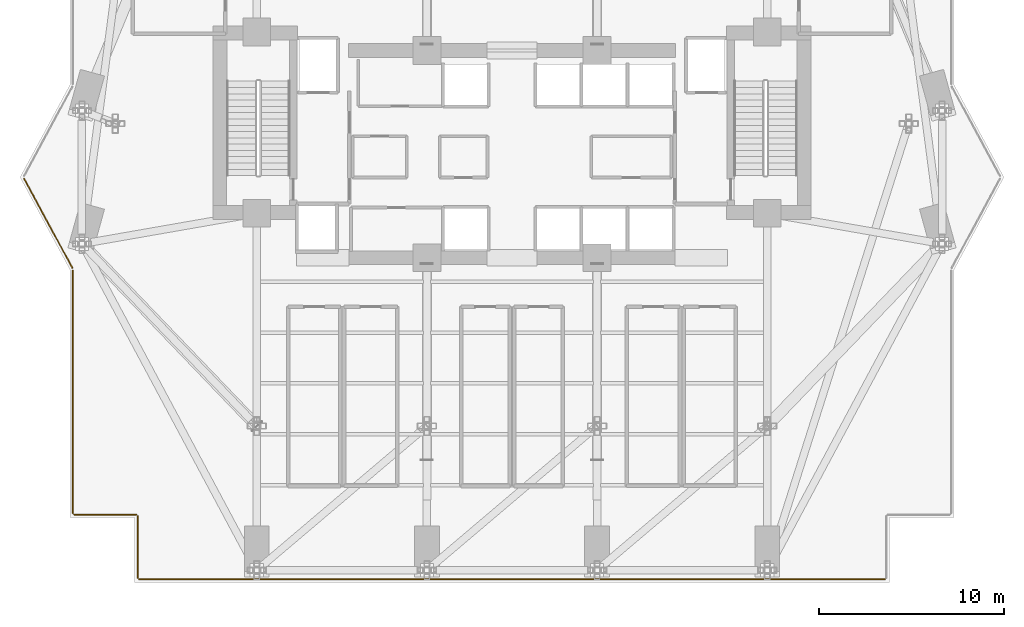
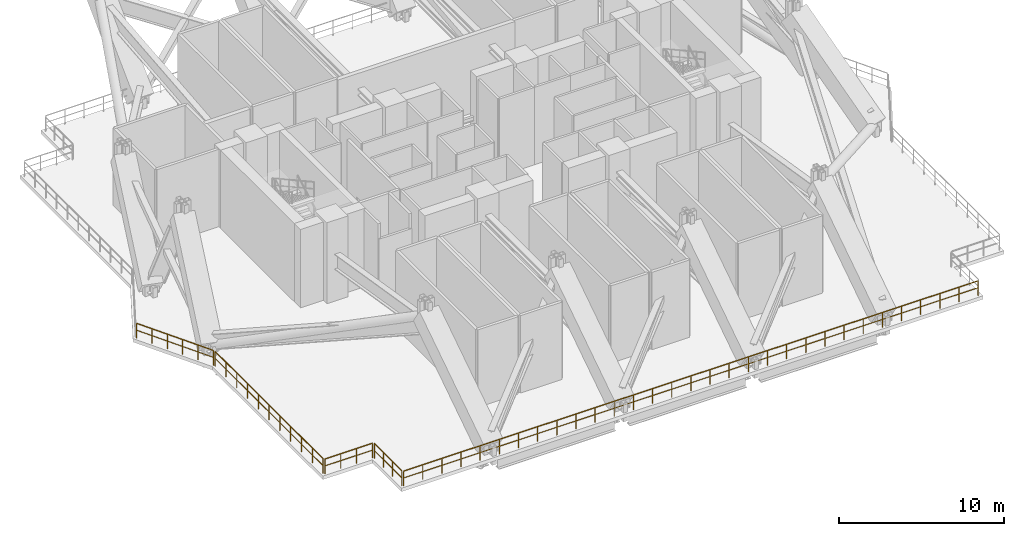
# One storey, part 15 of 18: 5 railings.
"""IFC4 building model written with IfcOpenShell, lengths in metres."""

from ifc_helpers import new_model, si_unit, direction, frame, origin, origin_2d, place, context, subcontext, project, spatial, rectangle, extrude, material, type_object, element, save


model = new_model("IFC4")

# Units and contexts
model_context = context("Model", 3, precision=1e-05, world=origin(), true_north=direction((0.0, 1.0)))
body_context = subcontext(model_context, "Body", "Model", "MODEL_VIEW")
ifc_project = project(units=[si_unit("LENGTHUNIT", "METRE"), si_unit("AREAUNIT", "SQUARE_METRE"), si_unit("VOLUMEUNIT", "CUBIC_METRE"), si_unit("PLANEANGLEUNIT", "RADIAN"), si_unit("MASSUNIT", "GRAM", prefix="KILO")], contexts=[model_context])

# Site, building, storey
site_placement = place(None, origin())
site = spatial("IfcSite", under=ifc_project, at=site_placement, CompositionType="ELEMENT")
building_placement = place(site_placement, origin())
building = spatial("IfcBuilding", under=site, at=building_placement, Name="Zuhayl Quay Hotel", CompositionType="ELEMENT")
storey_placement = place(building_placement, frame((0.0, 0.0, 162.199951171875)))
storey = spatial("IfcBuildingStorey", under=building, at=storey_placement, Name="L41", CompositionType="ELEMENT", Elevation=162.199951171875)

# Railings
ifc_material = material(Name="Anodised Aluminium and Laminated Glass", Category="aluminium")
railing_type = type_object("IfcRailingType", Name="RL_EXT_BAL_1100", PredefinedType="BALUSTRADE", material=ifc_material)
railing_1_placement = place(storey_placement, frame((-20.239990234375, -15.159912109375, 0.0)))
element("IfcRailing", 1, at=railing_1_placement, inside=storey, type_object=railing_type, Name="L41 Balcony and Terrace Guard GR_WIND_L41_01", PredefinedType="BALUSTRADE", context=body_context, shape_type="SweptSolid", body=[
    extrude(rectangle(XDim=0.048095703125, YDim=0.048095703125, at=origin_2d()), frame((0.0, 0.0, 1.09619140625), z_axis=(0.0, 1.0, 0.0), x_axis=(-1.0, 0.0, 0.0)), (0.0, 0.0, 1.0), 3.33984375),
    extrude(rectangle(XDim=0.0361328125, YDim=0.0361328125, at=origin_2d()), frame((0.0, 0.0, 0.58251953125), z_axis=(0.0, 1.0, 0.0), x_axis=(-1.0, 0.0, 0.0)), (0.0, 0.0, 1.0), 3.33984375),
    extrude(rectangle(XDim=0.0419921875, YDim=0.0419921875, at=origin_2d()), origin(), (0.0, 0.0, 1.0), 1.072021484375),
    extrude(rectangle(XDim=0.0419921875, YDim=0.0419921875, at=origin_2d()), frame((0.0, 1.11328125, 0.0)), (0.0, 0.0, 1.0), 1.072021484375),
    extrude(rectangle(XDim=0.0419921875, YDim=0.0419921875, at=origin_2d()), frame((0.0, 2.2265625, 0.0)), (0.0, 0.0, 1.0), 1.072021484375),
    extrude(rectangle(XDim=0.0419921875, YDim=0.0419921875, at=origin_2d()), frame((0.0, 3.33984375, 0.0)), (0.0, 0.0, 1.0), 1.072021484375),
])
railing_2_placement = place(storey_placement, frame((-20.320068359375, -11.739990234375, 0.0)))
element("IfcRailing", 2, at=railing_2_placement, inside=storey, type_object=railing_type, Name="L41 Balcony and Terrace Guard GR_WIND_L41_02", PredefinedType="BALUSTRADE", context=body_context, shape_type="SweptSolid", body=[
    extrude(rectangle(XDim=0.048095703125, YDim=0.048095703125, at=origin_2d()), frame((0.0, 0.0, 1.09619140625), z_axis=(-1.0, 0.0, 0.0), x_axis=(0.0, -1.0, 0.0)), (0.0, 0.0, 1.0), 3.33984375),
    extrude(rectangle(XDim=0.0361328125, YDim=0.0361328125, at=origin_2d()), frame((0.0, 0.0, 0.58251953125), z_axis=(-1.0, 0.0, 0.0), x_axis=(0.0, -1.0, 0.0)), (0.0, 0.0, 1.0), 3.33984375),
    extrude(rectangle(XDim=0.0419921875, YDim=0.0419921875, at=origin_2d()), origin(), (0.0, 0.0, 1.0), 1.072021484375),
    extrude(rectangle(XDim=0.0419921875, YDim=0.0419921875, at=origin_2d()), frame((-1.11328125, 0.0, 0.0)), (0.0, 0.0, 1.0), 1.072021484375),
    extrude(rectangle(XDim=0.0419921875, YDim=0.0419921875, at=origin_2d()), frame((-2.2265625, 0.0, 0.0)), (0.0, 0.0, 1.0), 1.072021484375),
    extrude(rectangle(XDim=0.0419921875, YDim=0.0419921875, at=origin_2d()), frame((-3.33984375, 0.0, 0.0)), (0.0, 0.0, 1.0), 1.072021484375),
])
railing_3_placement = place(storey_placement, frame((-23.739990234375, -11.659912109375, 0.0)))
element("IfcRailing", 3, at=railing_3_placement, inside=storey, type_object=railing_type, Name="L41 Balcony and Terrace Guard GR_WIND_L41_03", PredefinedType="BALUSTRADE", context=body_context, shape_type="SweptSolid", body=[
    extrude(rectangle(XDim=0.048095703125, YDim=0.048095703125, at=origin_2d()), frame((0.0, 0.0, 1.09619140625), z_axis=(0.0, 1.0, 0.0), x_axis=(-1.0, 0.0, 0.0)), (0.0, 0.0, 1.0), 13.120361328125),
    extrude(rectangle(XDim=0.0361328125, YDim=0.0361328125, at=origin_2d()), frame((0.0, 0.0, 0.58251953125), z_axis=(0.0, 1.0, 0.0), x_axis=(-1.0, 0.0, 0.0)), (0.0, 0.0, 1.0), 13.120361328125),
    extrude(rectangle(XDim=0.0419921875, YDim=0.0419921875, at=origin_2d()), origin(), (0.0, 0.0, 1.0), 1.072021484375),
    extrude(rectangle(XDim=0.0419921875, YDim=0.0419921875, at=origin_2d()), frame((0.0, 1.31201171875, 0.0)), (0.0, 0.0, 1.0), 1.072021484375),
    extrude(rectangle(XDim=0.0419921875, YDim=0.0419921875, at=origin_2d()), frame((0.0, 2.6240234375, 0.0)), (0.0, 0.0, 1.0), 1.072021484375),
    extrude(rectangle(XDim=0.0419921875, YDim=0.0419921875, at=origin_2d()), frame((0.0, 3.93603515625, 0.0)), (0.0, 0.0, 1.0), 1.072021484375),
    extrude(rectangle(XDim=0.0419921875, YDim=0.0419921875, at=origin_2d()), frame((0.0, 5.248046875, 0.0)), (0.0, 0.0, 1.0), 1.072021484375),
    extrude(rectangle(XDim=0.0419921875, YDim=0.0419921875, at=origin_2d()), frame((0.0, 6.56005859375, 0.0)), (0.0, 0.0, 1.0), 1.072021484375),
    extrude(rectangle(XDim=0.0419921875, YDim=0.0419921875, at=origin_2d()), frame((0.0, 7.872314453125, 0.0)), (0.0, 0.0, 1.0), 1.072021484375),
    extrude(rectangle(XDim=0.0419921875, YDim=0.0419921875, at=origin_2d()), frame((0.0, 9.184326171875, 0.0)), (0.0, 0.0, 1.0), 1.072021484375),
    extrude(rectangle(XDim=0.0419921875, YDim=0.0419921875, at=origin_2d()), frame((0.0, 10.496337890625, 0.0)), (0.0, 0.0, 1.0), 1.072021484375),
    extrude(rectangle(XDim=0.0419921875, YDim=0.0419921875, at=origin_2d()), frame((0.0, 11.808349609375, 0.0)), (0.0, 0.0, 1.0), 1.072021484375),
    extrude(rectangle(XDim=0.0419921875, YDim=0.0419921875, at=origin_2d()), frame((0.0, 13.120361328125, 0.0)), (0.0, 0.0, 1.0), 1.072021484375),
])
railing_4_placement = place(storey_placement, frame((-23.778076171875, 1.61083984375, 0.0)))
element("IfcRailing", 4, at=railing_4_placement, inside=storey, type_object=railing_type, Name="L41 Balcony and Terrace Guard GR_WIND_L41_04", PredefinedType="BALUSTRADE", context=body_context, shape_type="SweptSolid", body=[
    extrude(rectangle(XDim=0.048095703125, YDim=0.048095703125, at=origin_2d()), frame((0.0, 0.0, 1.09619140625), z_axis=(-0.475130966766, 0.879915089324, 0.0), x_axis=(-0.879915089324, -0.475130966766, 0.0)), (0.0, 0.0, 1.0), 5.4765625),
    extrude(rectangle(XDim=0.0361328125, YDim=0.0361328125, at=origin_2d()), frame((0.0, 0.0, 0.58251953125), z_axis=(-0.475130966766, 0.879915089324, 0.0), x_axis=(-0.879915089324, -0.475130966766, 0.0)), (0.0, 0.0, 1.0), 5.4765625),
    extrude(rectangle(XDim=0.0419921875, YDim=0.0419921875, at=origin_2d()), origin(), (0.0, 0.0, 1.0), 1.072021484375),
    extrude(rectangle(XDim=0.0419921875, YDim=0.0419921875, at=origin_2d()), frame((-0.5205078125, 0.9638671875, 0.0)), (0.0, 0.0, 1.0), 1.072021484375),
    extrude(rectangle(XDim=0.0419921875, YDim=0.0419921875, at=origin_2d()), frame((-1.040771484375, 1.927490234375, 0.0)), (0.0, 0.0, 1.0), 1.072021484375),
    extrude(rectangle(XDim=0.0419921875, YDim=0.0419921875, at=origin_2d()), frame((-1.561279296875, 2.891357421875, 0.0)), (0.0, 0.0, 1.0), 1.072021484375),
    extrude(rectangle(XDim=0.0419921875, YDim=0.0419921875, at=origin_2d()), frame((-2.08154296875, 3.85498046875, 0.0)), (0.0, 0.0, 1.0), 1.072021484375),
    extrude(rectangle(XDim=0.0419921875, YDim=0.0419921875, at=origin_2d()), frame((-2.60205078125, 4.81884765625, 0.0)), (0.0, 0.0, 1.0), 1.072021484375),
])
railing_5_placement = place(storey_placement, frame((20.159912109375, -15.239990234375, 0.0)))
element("IfcRailing", 5, at=railing_5_placement, inside=storey, type_object=railing_type, Name="L41 Balcony and Terrace Guard GR_WIND_L41_18", PredefinedType="BALUSTRADE", context=body_context, shape_type="SweptSolid", body=[
    extrude(rectangle(XDim=0.048095703125, YDim=0.048095703125, at=origin_2d()), frame((0.0, 0.0, 1.09619140625), z_axis=(-1.0, 0.0, 0.0), x_axis=(0.0, -1.0, 0.0)), (0.0, 0.0, 1.0), 40.31982421875),
    extrude(rectangle(XDim=0.0361328125, YDim=0.0361328125, at=origin_2d()), frame((0.0, 0.0, 0.58251953125), z_axis=(-1.0, 0.0, 0.0), x_axis=(0.0, -1.0, 0.0)), (0.0, 0.0, 1.0), 40.31982421875),
    extrude(rectangle(XDim=0.0419921875, YDim=0.0419921875, at=origin_2d()), origin(), (0.0, 0.0, 1.0), 1.072021484375),
    extrude(rectangle(XDim=0.0419921875, YDim=0.0419921875, at=origin_2d()), frame((-1.343994140625, 0.0, 0.0)), (0.0, 0.0, 1.0), 1.072021484375),
    extrude(rectangle(XDim=0.0419921875, YDim=0.0419921875, at=origin_2d()), frame((-2.68798828125, 0.0, 0.0)), (0.0, 0.0, 1.0), 1.072021484375),
    extrude(rectangle(XDim=0.0419921875, YDim=0.0419921875, at=origin_2d()), frame((-4.031982421875, 0.0, 0.0)), (0.0, 0.0, 1.0), 1.072021484375),
    extrude(rectangle(XDim=0.0419921875, YDim=0.0419921875, at=origin_2d()), frame((-5.3759765625, 0.0, 0.0)), (0.0, 0.0, 1.0), 1.072021484375),
    extrude(rectangle(XDim=0.0419921875, YDim=0.0419921875, at=origin_2d()), frame((-6.719970703125, 0.0, 0.0)), (0.0, 0.0, 1.0), 1.072021484375),
    extrude(rectangle(XDim=0.0419921875, YDim=0.0419921875, at=origin_2d()), frame((-8.06396484375, 0.0, 0.0)), (0.0, 0.0, 1.0), 1.072021484375),
    extrude(rectangle(XDim=0.0419921875, YDim=0.0419921875, at=origin_2d()), frame((-9.407958984375, 0.0, 0.0)), (0.0, 0.0, 1.0), 1.072021484375),
    extrude(rectangle(XDim=0.0419921875, YDim=0.0419921875, at=origin_2d()), frame((-10.751953125, 0.0, 0.0)), (0.0, 0.0, 1.0), 1.072021484375),
    extrude(rectangle(XDim=0.0419921875, YDim=0.0419921875, at=origin_2d()), frame((-12.095947265625, 0.0, 0.0)), (0.0, 0.0, 1.0), 1.072021484375),
    extrude(rectangle(XDim=0.0419921875, YDim=0.0419921875, at=origin_2d()), frame((-13.43994140625, 0.0, 0.0)), (0.0, 0.0, 1.0), 1.072021484375),
    extrude(rectangle(XDim=0.0419921875, YDim=0.0419921875, at=origin_2d()), frame((-14.783935546875, 0.0, 0.0)), (0.0, 0.0, 1.0), 1.072021484375),
    extrude(rectangle(XDim=0.0419921875, YDim=0.0419921875, at=origin_2d()), frame((-16.1279296875, 0.0, 0.0)), (0.0, 0.0, 1.0), 1.072021484375),
    extrude(rectangle(XDim=0.0419921875, YDim=0.0419921875, at=origin_2d()), frame((-17.471923828125, 0.0, 0.0)), (0.0, 0.0, 1.0), 1.072021484375),
    extrude(rectangle(XDim=0.0419921875, YDim=0.0419921875, at=origin_2d()), frame((-18.81591796875, 0.0, 0.0)), (0.0, 0.0, 1.0), 1.072021484375),
    extrude(rectangle(XDim=0.0419921875, YDim=0.0419921875, at=origin_2d()), frame((-20.159912109375, 0.0, 0.0)), (0.0, 0.0, 1.0), 1.072021484375),
    extrude(rectangle(XDim=0.0419921875, YDim=0.0419921875, at=origin_2d()), frame((-21.50390625, 0.0, 0.0)), (0.0, 0.0, 1.0), 1.072021484375),
    extrude(rectangle(XDim=0.0419921875, YDim=0.0419921875, at=origin_2d()), frame((-22.847900390625, 0.0, 0.0)), (0.0, 0.0, 1.0), 1.072021484375),
    extrude(rectangle(XDim=0.0419921875, YDim=0.0419921875, at=origin_2d()), frame((-24.19189453125, 0.0, 0.0)), (0.0, 0.0, 1.0), 1.072021484375),
    extrude(rectangle(XDim=0.0419921875, YDim=0.0419921875, at=origin_2d()), frame((-25.535888671875, 0.0, 0.0)), (0.0, 0.0, 1.0), 1.072021484375),
    extrude(rectangle(XDim=0.0419921875, YDim=0.0419921875, at=origin_2d()), frame((-26.8798828125, 0.0, 0.0)), (0.0, 0.0, 1.0), 1.072021484375),
    extrude(rectangle(XDim=0.0419921875, YDim=0.0419921875, at=origin_2d()), frame((-28.223876953125, 0.0, 0.0)), (0.0, 0.0, 1.0), 1.072021484375),
    extrude(rectangle(XDim=0.0419921875, YDim=0.0419921875, at=origin_2d()), frame((-29.56787109375, 0.0, 0.0)), (0.0, 0.0, 1.0), 1.072021484375),
    extrude(rectangle(XDim=0.0419921875, YDim=0.0419921875, at=origin_2d()), frame((-30.911865234375, 0.0, 0.0)), (0.0, 0.0, 1.0), 1.072021484375),
    extrude(rectangle(XDim=0.0419921875, YDim=0.0419921875, at=origin_2d()), frame((-32.255859375, 0.0, 0.0)), (0.0, 0.0, 1.0), 1.072021484375),
    extrude(rectangle(XDim=0.0419921875, YDim=0.0419921875, at=origin_2d()), frame((-33.599853515625, 0.0, 0.0)), (0.0, 0.0, 1.0), 1.072021484375),
    extrude(rectangle(XDim=0.0419921875, YDim=0.0419921875, at=origin_2d()), frame((-34.94384765625, 0.0, 0.0)), (0.0, 0.0, 1.0), 1.072021484375),
    extrude(rectangle(XDim=0.0419921875, YDim=0.0419921875, at=origin_2d()), frame((-36.287841796875, 0.0, 0.0)), (0.0, 0.0, 1.0), 1.072021484375),
    extrude(rectangle(XDim=0.0419921875, YDim=0.0419921875, at=origin_2d()), frame((-37.6318359375, 0.0, 0.0)), (0.0, 0.0, 1.0), 1.072021484375),
    extrude(rectangle(XDim=0.0419921875, YDim=0.0419921875, at=origin_2d()), frame((-38.975830078125, 0.0, 0.0)), (0.0, 0.0, 1.0), 1.072021484375),
    extrude(rectangle(XDim=0.0419921875, YDim=0.0419921875, at=origin_2d()), frame((-40.31982421875, 0.0, 0.0)), (0.0, 0.0, 1.0), 1.072021484375),
])

save(model, "model.ifc")
